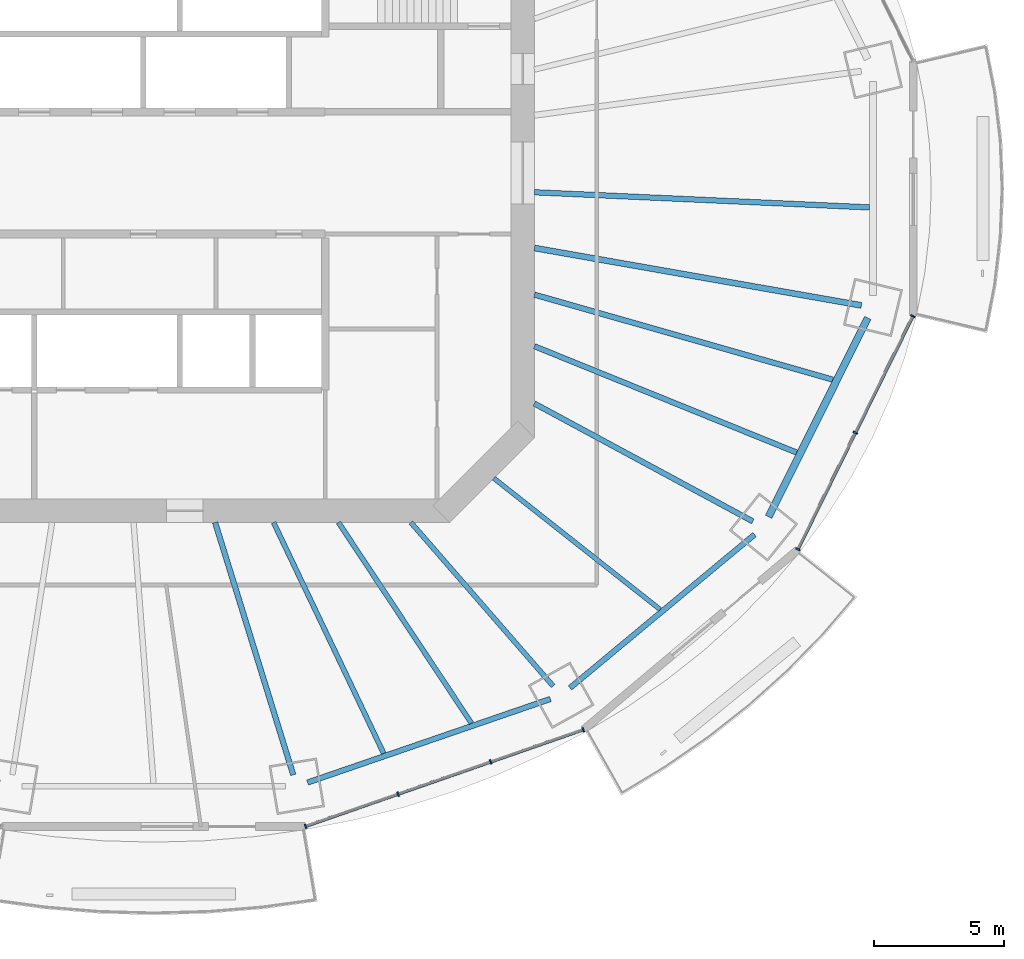
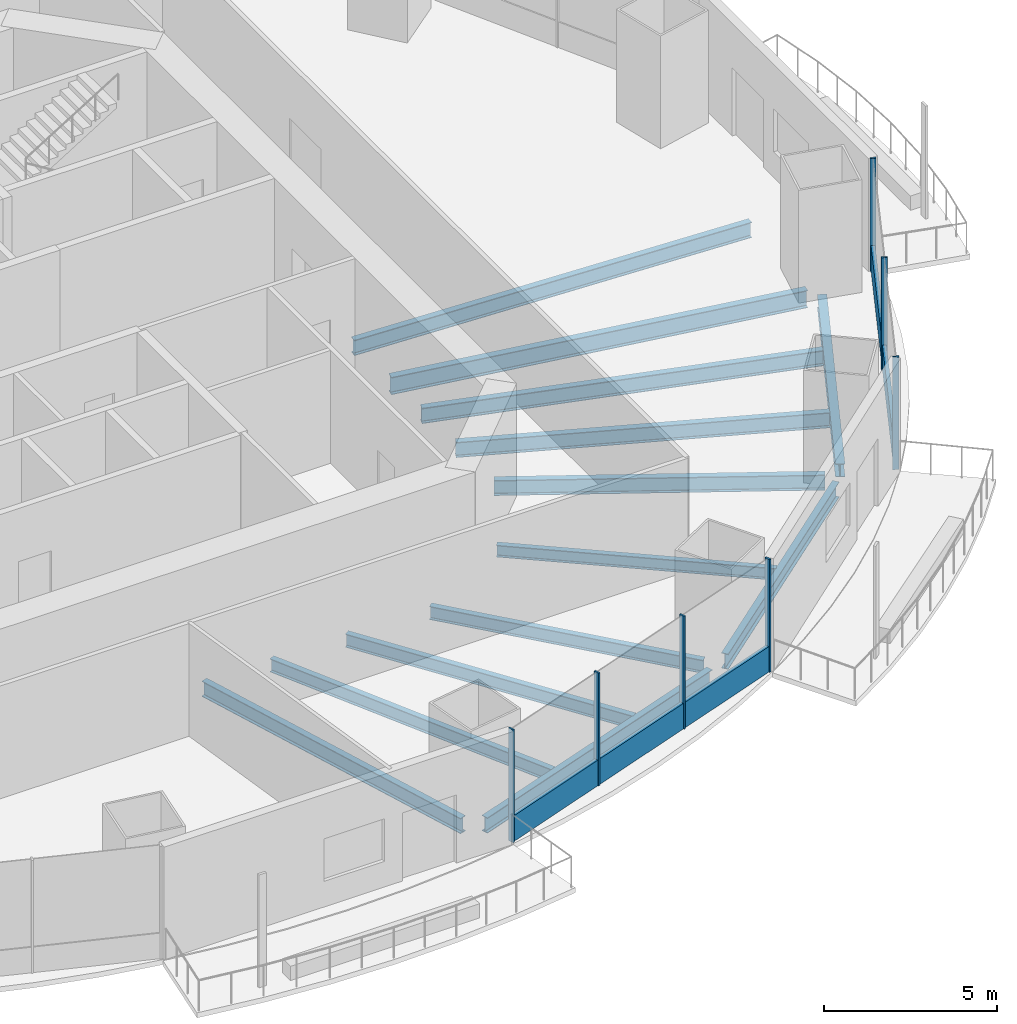
# One storey, part 4 of 19: 13 beams, 9 members, 2 elements without a shape of their own.
"""IFC4 building model written with IfcOpenShell, lengths in metres."""

import ifcopenshell
import ifcopenshell.guid

model = None  # the IFC model being written
_history = None  # IfcOwnerHistory: only IFC2X3 demands one
_inside = {}  # id of a spatial element -> (the spatial element, [elements in it])
_under = {}  # id of a project, library or spatial element -> (it, [spatial elements below it])
_declared = {}  # id of a project -> (the project, [libraries it declares])
_typed = {}  # id of a type object -> (the type object, [elements of that type])
_made_of = {}  # id of a material, layer set ... -> (it, [elements and type objects made of it])


def new_model(schema):
    """Start an empty IFC model of exactly this schema.

    Asked for "IFC4X3", IfcOpenShell would pick the latest addendum, in which some entities
    have other attributes; the version numbers below select the first issue.
    IFC2X3 requires an IfcOwnerHistory on every rooted entity: one is made here for all.
    """
    global model, _history
    if schema == "IFC4X3":
        model = ifcopenshell.file(schema_version=(4, 3, 0, 0))
    else:
        model = ifcopenshell.file(schema=schema)
    _inside.clear()
    _under.clear()
    _declared.clear()
    _typed.clear()
    _made_of.clear()
    _history = None
    if model.schema == "IFC2X3":
        org = make("IfcOrganization", Name="unknown")
        user = make(
            "IfcPersonAndOrganization",
            ThePerson=make("IfcPerson", FamilyName="unknown"),
            TheOrganization=org,
        )
        app = make(
            "IfcApplication",
            ApplicationDeveloper=org,
            Version="unknown",
            ApplicationFullName="unknown",
            ApplicationIdentifier="unknown",
        )
        _history = make(
            "IfcOwnerHistory",
            OwningUser=user,
            OwningApplication=app,
            ChangeAction="ADDED",
            CreationDate=0,
        )
    return model


def make(cls, **values):
    """One entity of the class cls with the attributes given. An attribute that is None is left unset."""
    return model.create_entity(
        cls, **{name: value for name, value in values.items() if value is not None}
    )


def rooted(cls, **values):
    """An entity with a GlobalId (a new one), such as an element, a storey or a relation."""
    return make(cls, GlobalId=ifcopenshell.guid.new(), OwnerHistory=_history, **values)


def si_unit(unit_type, name, prefix=None):
    """IfcSIUnit, for example si_unit("LENGTHUNIT", "METRE", prefix="MILLI")."""
    return make("IfcSIUnit", UnitType=unit_type, Prefix=prefix, Name=name)


def assignment(units):
    """IfcUnitAssignment: the units of a project."""
    return None if units is None else make("IfcUnitAssignment", Units=units)


def point(xyz):
    """IfcCartesianPoint."""
    return None if xyz is None else make("IfcCartesianPoint", Coordinates=xyz)


def direction(xyz):
    """IfcDirection."""
    return None if xyz is None else make("IfcDirection", DirectionRatios=xyz)


def frame(location, z_axis=None, x_axis=None):
    """IfcAxis2Placement3D, a coordinate frame: its origin and axes. An axis left out is left unset."""
    return make(
        "IfcAxis2Placement3D",
        Location=point(location),
        Axis=direction(z_axis),
        RefDirection=direction(x_axis),
    )


def frame_2d(location, x_axis=None):
    """IfcAxis2Placement2D, a coordinate frame in the plane: its origin and x axis."""
    return make(
        "IfcAxis2Placement2D", Location=point(location), RefDirection=direction(x_axis)
    )


def origin():
    """The frame at (0, 0, 0) with its axes left unset."""
    return frame((0.0, 0.0, 0.0))


def origin_2d():
    """The frame at (0, 0) in the plane with its x axis left unset."""
    return frame_2d((0.0, 0.0))


def place(relative_to, where):
    """IfcLocalPlacement: puts the frame where relative to a parent placement (None: the world)."""
    return make(
        "IfcLocalPlacement", PlacementRelTo=relative_to, RelativePlacement=where
    )


def context(
    kind, dimensions, precision=None, world=None, true_north=None, identifier=None
):
    """IfcGeometricRepresentationContext, for example the 3D "Model" context."""
    return make(
        "IfcGeometricRepresentationContext",
        ContextIdentifier=identifier,
        ContextType=kind,
        CoordinateSpaceDimension=dimensions,
        Precision=precision,
        WorldCoordinateSystem=world,
        TrueNorth=true_north,
    )


def subcontext(parent, identifier, kind, view, scale=None):
    """IfcGeometricRepresentationSubContext, for example "Body" below "Model"."""
    return make(
        "IfcGeometricRepresentationSubContext",
        ContextIdentifier=identifier,
        ContextType=kind,
        ParentContext=parent,
        TargetScale=scale,
        TargetView=view,
    )


def project(units=None, contexts=None):
    """IfcProject with its units and contexts."""
    return rooted(
        "IfcProject",
        Name="project",
        RepresentationContexts=contexts,
        UnitsInContext=assignment(units),
    )


def spatial(cls, under=None, at=None, **own):
    """A site, building, storey or space (cls), placed at a placement, below another one or the project."""
    s = rooted(cls, ObjectPlacement=at, **own)
    if under is not None:
        _under.setdefault(under.id(), (under, []))[1].append(s)
    return s


def profile(cls, at=None, kind="AREA", **sizes):
    """A parametric profile (cls). Its sizes go by their IFC names, for example OverallWidth=200.0."""
    return make(cls, ProfileType=kind, Position=at, **sizes)


def rectangle(**sizes):
    """IfcRectangleProfileDef."""
    return profile("IfcRectangleProfileDef", **sizes)


def i_section(**sizes):
    """IfcIShapeProfileDef."""
    return profile("IfcIShapeProfileDef", **sizes)


def extrude(swept, where, along, depth):
    """IfcExtrudedAreaSolid: the profile swept, set in the frame where, extruded along a direction by depth."""
    return make(
        "IfcExtrudedAreaSolid",
        SweptArea=swept,
        Position=where,
        ExtrudedDirection=direction(along),
        Depth=depth,
    )


def shape(context_of_items, identifier, shape_type, items):
    """IfcShapeRepresentation: the items that make up one representation, for example the "Body"."""
    return make(
        "IfcShapeRepresentation",
        ContextOfItems=context_of_items,
        RepresentationIdentifier=identifier,
        RepresentationType=shape_type,
        Items=items,
    )


def material(Name=None, Category=None):
    """IfcMaterial."""
    return make("IfcMaterial", Name=Name, Category=Category)


def material_profile(
    of_material, cross_section, Name=None, Category=None, Priority=None
):
    """IfcMaterialProfile: a cross section and its material."""
    return make(
        "IfcMaterialProfile",
        Name=Name,
        Material=of_material,
        Profile=cross_section,
        Priority=Priority,
        Category=Category,
    )


def profile_set(profiles, Name=None, composite=None):
    """IfcMaterialProfileSet."""
    return make(
        "IfcMaterialProfileSet",
        Name=Name,
        MaterialProfiles=profiles,
        CompositeProfile=composite,
    )


def made_of(thing, what):
    """Note that an element or type object is made of a material, layer set ...; save() writes the relation."""
    if what is not None:
        _made_of.setdefault(what.id(), (what, []))[1].append(thing)
    return thing


def type_object(cls, material=None, **own):
    """A type object (cls), such as IfcWallType, which elements share."""
    return made_of(rooted(cls, **own), material)


def element(
    cls,
    number,
    at=None,
    inside=None,
    cuts=None,
    type_object=None,
    material=None,
    context=None,
    identifier="Body",
    shape_type=None,
    held_by="IfcProductDefinitionShape",
    body=None,
    shapes=None,
    **own,
):
    """One element of the class cls, such as IfcWall. Its Tag is "e" and its number.

    at: its placement. inside: the storey or other place that contains it. cuts: it is an
    opening in that element (IfcRelVoidsElement). A single representation is given by context,
    identifier, shape_type and body (its items); several are given by shapes. held_by: the class
    of the entity that holds the representations. save() writes the other relations.
    """
    e = rooted(cls, Tag="e%d" % number, ObjectPlacement=at, **own)
    if body is not None:
        shapes = [shape(context, identifier, shape_type, body)]
    if shapes is not None:
        e.Representation = make(held_by, Representations=shapes)
    if inside is not None:
        _inside.setdefault(inside.id(), (inside, []))[1].append(e)
    if cuts is not None:
        rooted(
            "IfcRelVoidsElement", RelatingBuildingElement=cuts, RelatedOpeningElement=e
        )
    if type_object is not None:
        _typed.setdefault(type_object.id(), (type_object, []))[1].append(e)
    return made_of(e, material)


def aggregate(whole, parts):
    """IfcRelAggregates: a whole, such as a stair, and the parts it consists of."""
    return rooted("IfcRelAggregates", RelatingObject=whole, RelatedObjects=parts)


def save(model, path):
    """Write the relations noted so far, then the file.

    IfcRelAggregates (storeys below a building ...), IfcRelContainedInSpatialStructure (elements
    in a storey), IfcRelDefinesByType, IfcRelAssociatesMaterial and IfcRelDeclares: one each for
    every whole, place, type object, material and project.
    """
    for whole, parts in _under.values():
        aggregate(whole, parts)
    for where, things in _inside.values():
        rooted(
            "IfcRelContainedInSpatialStructure",
            RelatedElements=things,
            RelatingStructure=where,
        )
    for kind, things in _typed.values():
        rooted("IfcRelDefinesByType", RelatedObjects=things, RelatingType=kind)
    for what, things in _made_of.values():
        rooted("IfcRelAssociatesMaterial", RelatedObjects=things, RelatingMaterial=what)
    for by, libraries in _declared.values():
        rooted("IfcRelDeclares", RelatingContext=by, RelatedDefinitions=libraries)
    model.write(path)


model = new_model("IFC4")

# Units and contexts
model_context = context("Model", 3, precision=1e-05, world=origin(), true_north=direction((0.0, 1.0)))
body_context = subcontext(model_context, "Body", "Model", "MODEL_VIEW")
ifc_project = project(units=[si_unit("LENGTHUNIT", "METRE"), si_unit("AREAUNIT", "SQUARE_METRE"), si_unit("VOLUMEUNIT", "CUBIC_METRE"), si_unit("PLANEANGLEUNIT", "RADIAN"), si_unit("MASSUNIT", "GRAM", prefix="KILO")], contexts=[model_context])

# Site, building, storey
site_placement = place(None, origin())
site = spatial("IfcSite", under=ifc_project, at=site_placement, CompositionType="ELEMENT")
building_placement = place(site_placement, origin())
building = spatial("IfcBuilding", under=site, at=building_placement, Name="Marenthal Gate Tower", CompositionType="ELEMENT")
storey_placement = place(building_placement, frame((0.0, 0.0, 252.35009765625)))
storey = spatial("IfcBuildingStorey", under=building, at=storey_placement, Name="L56", CompositionType="ELEMENT", Elevation=252.35009765625)

# Curtain wall, members
ifc_material_1 = material(Name="Aluminium and glass", Category="aluminium")
curtain_wall_type = type_object("IfcCurtainWallType", Name="Curtain wall typical mid", PredefinedType="NOTDEFINED", material=ifc_material_1)
curtain_wall_1_placement = place(storey_placement, origin())
curtain_wall_1 = element("IfcCurtainWall", 1, at=curtain_wall_1_placement, inside=storey, type_object=curtain_wall_type, Name="Curtain wall L56 bay 13", PredefinedType="NOTDEFINED")
ifc_material_2 = material(Name="Aluminium", Category="aluminium")
ifc_material_profile_1 = material_profile(ifc_material_2, rectangle(XDim=0.179931640625, YDim=0.06005859375, at=origin_2d()), Name="60x180 aluminium mullion")
ifc_profile_set_1 = profile_set([ifc_material_profile_1], Name="Aluminium")
member_type_1 = type_object("IfcMemberType", Name="Mullion 60x180 typical mid", PredefinedType="MULLION", material=ifc_profile_set_1)
member_1_placement = place(storey_placement, frame((7.642578125, -25.14306640625, 0.0), z_axis=(0.0, 0.0, 1.0), x_axis=(-0.328612003593, 0.944465007872, 0.0)))
member_1 = element("IfcMember", 2, at=member_1_placement, type_object=member_type_1, Name="Mullion L56 bay 13.1", PredefinedType="MULLION", context=body_context, shape_type="SweptSolid", body=[
    extrude(rectangle(XDim=0.179931640625, YDim=0.06005859375, at=origin_2d()), origin(), (0.0, 0.0, 1.0), 3.969970703125),
])
member_2_placement = place(storey_placement, frame((11.204833984375, -23.90380859375, 0.0), z_axis=(0.0, 0.0, 1.0), x_axis=(-0.328612003593, 0.944465007872, 0.0)))
member_2 = element("IfcMember", 3, at=member_2_placement, type_object=member_type_1, Name="Mullion L56 bay 13.2", PredefinedType="MULLION", context=body_context, shape_type="SweptSolid", body=[
    extrude(rectangle(XDim=0.179931640625, YDim=0.06005859375, at=origin_2d()), origin(), (0.0, 0.0, 1.0), 3.969970703125),
])
member_3_placement = place(storey_placement, frame((14.76708984375, -22.664306640625, 0.0), z_axis=(0.0, 0.0, 1.0), x_axis=(-0.328612003593, 0.944465007872, 0.0)))
member_3 = element("IfcMember", 4, at=member_3_placement, type_object=member_type_1, Name="Mullion L56 bay 13.3", PredefinedType="MULLION", context=body_context, shape_type="SweptSolid", body=[
    extrude(rectangle(XDim=0.179931640625, YDim=0.06005859375, at=origin_2d()), origin(), (0.0, 0.0, 1.0), 3.969970703125),
])
member_4_placement = place(storey_placement, frame((18.329345703125, -21.4248046875, 0.0), z_axis=(0.0, 0.0, 1.0), x_axis=(-0.328612003593, 0.944465007872, 0.0)))
member_4 = element("IfcMember", 5, at=member_4_placement, type_object=member_type_1, Name="Mullion L56 bay 13.4", PredefinedType="MULLION", context=body_context, shape_type="SweptSolid", body=[
    extrude(rectangle(XDim=0.179931640625, YDim=0.06005859375, at=origin_2d()), origin(), (0.0, 0.0, 1.0), 3.969970703125),
])

curtain_wall_2_placement = place(storey_placement, origin())
curtain_wall_2 = element("IfcCurtainWall", 6, at=curtain_wall_2_placement, inside=storey, type_object=curtain_wall_type, Name="Curtain wall L56 bay 15", PredefinedType="NOTDEFINED")
member_5_placement = place(storey_placement, frame((26.593505859375, -14.481201171875, 0.0), z_axis=(0.0, 0.0, 1.0), x_axis=(-0.896882319585, 0.44226926732, 0.0)))
member_5 = element("IfcMember", 7, at=member_5_placement, type_object=member_type_1, Name="Mullion L56 bay 15.1", PredefinedType="MULLION", context=body_context, shape_type="SweptSolid", body=[
    extrude(rectangle(XDim=0.179931640625, YDim=0.06005859375, at=origin_2d()), origin(), (0.0, 0.0, 1.0), 3.969970703125),
])
member_6_placement = place(storey_placement, frame((28.805419921875, -9.99609375, 0.0), z_axis=(0.0, 0.0, 1.0), x_axis=(-0.896882319585, 0.44226926732, 0.0)))
member_6 = element("IfcMember", 8, at=member_6_placement, type_object=member_type_1, Name="Mullion L56 bay 15.2", PredefinedType="MULLION", context=body_context, shape_type="SweptSolid", body=[
    extrude(rectangle(XDim=0.179931640625, YDim=0.06005859375, at=origin_2d()), origin(), (0.0, 0.0, 1.0), 3.969970703125),
])
member_7_placement = place(storey_placement, frame((31.01708984375, -5.5107421875, 0.0), z_axis=(0.0, 0.0, 1.0), x_axis=(-0.896882319585, 0.44226926732, 0.0)))
member_7 = element("IfcMember", 9, at=member_7_placement, type_object=member_type_1, Name="Mullion L56 bay 15.3", PredefinedType="MULLION", context=body_context, shape_type="SweptSolid", body=[
    extrude(rectangle(XDim=0.179931640625, YDim=0.06005859375, at=origin_2d()), origin(), (0.0, 0.0, 1.0), 3.969970703125),
])

# Member
ifc_material_3 = material(Name="Aluminium", Category="aluminium")
ifc_material_profile_2 = material_profile(ifc_material_3, rectangle(XDim=0.1201171875, YDim=0.89990234375, at=origin_2d()), Name="120x900 aluminium transom")
ifc_profile_set_2 = profile_set([ifc_material_profile_2], Name="Aluminium")
member_type_2 = type_object("IfcMemberType", Name="Transom 120x900 typical mid", PredefinedType="USERDEFINED", material=ifc_profile_set_2)
member_8_placement = place(storey_placement, frame((7.6708984375, -25.13330078125, 0.449951171875), z_axis=(0.944467822316, 0.328603914477, 0.0), x_axis=(-0.328603914477, 0.944467822316, 0.0)))
member_8 = element("IfcMember", 10, at=member_8_placement, type_object=member_type_2, Name="Transom L56 bay 13", ObjectType="TRANSOM", PredefinedType="USERDEFINED", context=body_context, shape_type="SweptSolid", body=[
    extrude(rectangle(XDim=0.1201171875, YDim=0.89990234375, at=origin_2d()), origin(), (0.0, 0.0, 1.0), 11.255126953125),
])

aggregate(curtain_wall_1, [member_1, member_2, member_3, member_4, member_8])

member_9_placement = place(storey_placement, frame((26.60693359375, -14.454345703125, 0.449951171875), z_axis=(0.442255953319, 0.896888884842, 0.0), x_axis=(-0.896888884842, 0.442255953319, 0.0)))
member_9 = element("IfcMember", 11, at=member_9_placement, type_object=member_type_2, Name="Transom L56 bay 15", ObjectType="TRANSOM", PredefinedType="USERDEFINED", context=body_context, shape_type="SweptSolid", body=[
    extrude(rectangle(XDim=0.1201171875, YDim=0.89990234375, at=origin_2d()), origin(), (0.0, 0.0, 1.0), 9.941650390625),
])

aggregate(curtain_wall_2, [member_5, member_6, member_7, member_9])

# Beams
ifc_material_4 = material(Name="Steel S355", Category="steel")
ifc_material_profile_3 = material_profile(ifc_material_4, i_section(OverallWidth=0.180908203125, OverallDepth=0.4169921875, WebThickness=0.010986328125, FlangeThickness=0.018310546875, FilletRadius=0.01025390625, at=origin_2d()), Name="W410X85")
ifc_profile_set_3 = profile_set([ifc_material_profile_3], Name="Steel S355")
beam_type_1 = type_object("IfcBeamType", Name="W410X85 beam", PredefinedType="BEAM", material=ifc_profile_set_3)
beam_1_placement = place(storey_placement, frame((21.2880859375, -16.798583984375, -0.388671875), z_axis=(-0.785017659508, 0.619473384626, 0.0), x_axis=(-0.619473384626, -0.785017659508, 0.0)))
element("IfcBeam", 12, at=beam_1_placement, inside=storey, type_object=beam_type_1, Name="BM-L56-37", PredefinedType="BEAM", context=body_context, shape_type="SweptSolid", body=[
    extrude(i_section(OverallWidth=0.180908203125, OverallDepth=0.4169921875, WebThickness=0.010986328125, FlangeThickness=0.018310546875, FilletRadius=0.01025390625, at=origin_2d()), origin(), (0.0, 0.0, 1.0), 8.152587890625),
])
ifc_material_5 = material(Name="Steel S355", Category="steel")
ifc_material_profile_4 = material_profile(ifc_material_5, i_section(OverallWidth=0.279052734375, OverallDepth=0.4619140625, WebThickness=0.0107421875, FlangeThickness=0.017333984375, FilletRadius=0.010009765625, at=origin_2d()), Name="W460X113")
ifc_profile_set_4 = profile_set([ifc_material_profile_4], Name="Steel S355")
beam_type_2 = type_object("IfcBeamType", Name="W460X113 beam", PredefinedType="BEAM", material=ifc_profile_set_4)
beam_2_placement = place(storey_placement, frame((25.4658203125, -13.23046875, -0.4111328125), z_axis=(0.446105412594, 0.894980424844, 0.0), x_axis=(-0.894980424844, 0.446105412594, 0.0)))
element("IfcBeam", 13, at=beam_2_placement, inside=storey, type_object=beam_type_2, Name="BM-L56-55", PredefinedType="BEAM", context=body_context, shape_type="SweptSolid", body=[
    extrude(i_section(OverallWidth=0.279052734375, OverallDepth=0.4619140625, WebThickness=0.0107421875, FlangeThickness=0.017333984375, FilletRadius=0.010009765625, at=origin_2d()), origin(), (0.0, 0.0, 1.0), 8.550537109375),
])
ifc_material_6 = material(Name="Steel S355", Category="steel")
ifc_material_profile_5 = material_profile(ifc_material_6, i_section(OverallWidth=0.193115234375, OverallDepth=0.467041015625, WebThickness=0.011474609375, FlangeThickness=0.01904296875, FilletRadius=0.010009765625, at=origin_2d()), Name="W460X97")
ifc_profile_set_5 = profile_set([ifc_material_profile_5], Name="Steel S355")
beam_type_3 = type_object("IfcBeamType", Name="W460X97 beam", PredefinedType="BEAM", material=ifc_profile_set_5)
beam_3_placement = place(storey_placement, frame((17.1708984375, -19.745849609375, -0.41357421875), z_axis=(-0.656189581621, 0.754596072725, 0.0), x_axis=(-0.754596072725, -0.656189581621, 0.0)))
element("IfcBeam", 14, at=beam_3_placement, inside=storey, type_object=beam_type_3, Name="BM-L56-14", PredefinedType="BEAM", context=body_context, shape_type="SweptSolid", body=[
    extrude(i_section(OverallWidth=0.193115234375, OverallDepth=0.467041015625, WebThickness=0.011474609375, FlangeThickness=0.01904296875, FilletRadius=0.010009765625, at=origin_2d()), origin(), (0.0, 0.0, 1.0), 8.343505859375),
])
beam_4_placement = place(storey_placement, frame((10.6513671875, -22.339599609375, -0.41357421875), z_axis=(-0.430377134493, 0.902649168894, 0.0), x_axis=(-0.902649168894, -0.430377134493, 0.0)))
element("IfcBeam", 15, at=beam_4_placement, inside=storey, type_object=beam_type_3, Name="BM-L56-35", PredefinedType="BEAM", context=body_context, shape_type="SweptSolid", body=[
    extrude(i_section(OverallWidth=0.193115234375, OverallDepth=0.467041015625, WebThickness=0.011474609375, FlangeThickness=0.01904296875, FilletRadius=0.010009765625, at=origin_2d()), origin(), (0.0, 0.0, 1.0), 9.848388671875),
])
beam_5_placement = place(storey_placement, frame((14.028076171875, -21.17724609375, -0.41357421875), z_axis=(-0.552242092317, 0.833683795856, 0.0), x_axis=(-0.833683795856, -0.552242092317, 0.0)))
element("IfcBeam", 16, at=beam_5_placement, inside=storey, type_object=beam_type_3, Name="BM-L56-36", PredefinedType="BEAM", context=body_context, shape_type="SweptSolid", body=[
    extrude(i_section(OverallWidth=0.193115234375, OverallDepth=0.467041015625, WebThickness=0.011474609375, FlangeThickness=0.01904296875, FilletRadius=0.010009765625, at=origin_2d()), origin(), (0.0, 0.0, 1.0), 9.268798828125),
])
ifc_material_7 = material(Name="Steel S355", Category="steel")
ifc_material_profile_6 = material_profile(ifc_material_7, i_section(OverallWidth=0.2099609375, OverallDepth=0.535888671875, WebThickness=0.010986328125, FlangeThickness=0.017333984375, FilletRadius=0.0126953125, at=origin_2d()), Name="W530X101")
ifc_profile_set_6 = profile_set([ifc_material_profile_6], Name="Steel S355")
beam_type_4 = type_object("IfcBeamType", Name="W530X101 beam", PredefinedType="BEAM", material=ifc_profile_set_6)
beam_6_placement = place(storey_placement, frame((24.8564453125, -13.408935546875, -0.447998046875), z_axis=(-0.880106434399, 0.474776435947, 0.0), x_axis=(-0.474776435947, -0.880106434399, 0.0)))
element("IfcBeam", 17, at=beam_6_placement, inside=storey, type_object=beam_type_4, Name="BM-L56-15", PredefinedType="BEAM", context=body_context, shape_type="SweptSolid", body=[
    extrude(i_section(OverallWidth=0.2099609375, OverallDepth=0.535888671875, WebThickness=0.010986328125, FlangeThickness=0.017333984375, FilletRadius=0.0126953125, at=origin_2d()), origin(), (0.0, 0.0, 1.0), 9.5517578125),
])
beam_7_placement = place(storey_placement, frame((26.541748046875, -10.759521484375, -0.447998046875), z_axis=(-0.92674580837, 0.375688975974, 0.0), x_axis=(-0.375688975974, -0.92674580837, 0.0)))
element("IfcBeam", 18, at=beam_7_placement, inside=storey, type_object=beam_type_4, Name="BM-L56-38", PredefinedType="BEAM", context=body_context, shape_type="SweptSolid", body=[
    extrude(i_section(OverallWidth=0.2099609375, OverallDepth=0.535888671875, WebThickness=0.010986328125, FlangeThickness=0.017333984375, FilletRadius=0.0126953125, at=origin_2d()), origin(), (0.0, 0.0, 1.0), 10.889404296875),
])
ifc_material_8 = material(Name="Steel S355", Category="steel")
ifc_material_profile_7 = material_profile(ifc_material_8, i_section(OverallWidth=0.2119140625, OverallDepth=0.5439453125, WebThickness=0.01318359375, FlangeThickness=0.021240234375, FilletRadius=0.0126953125, at=origin_2d()), Name="W530X123")
ifc_profile_set_7 = profile_set([ifc_material_profile_7], Name="Steel S355")
beam_type_5 = type_object("IfcBeamType", Name="W530X123 beam", PredefinedType="BEAM", material=ifc_profile_set_7)
beam_8_placement = place(storey_placement, frame((7.17041015625, -23.164794921875, -0.4521484375), z_axis=(-0.295715024852, 0.955276203031, 0.0), x_axis=(-0.955276203031, -0.295715024852, 0.0)))
element("IfcBeam", 19, at=beam_8_placement, inside=storey, type_object=beam_type_5, Name="BM-L56-13", PredefinedType="BEAM", context=body_context, shape_type="SweptSolid", body=[
    extrude(i_section(OverallWidth=0.2119140625, OverallDepth=0.5439453125, WebThickness=0.01318359375, FlangeThickness=0.021240234375, FilletRadius=0.0126953125, at=origin_2d()), origin(), (0.0, 0.0, 1.0), 10.169677734375),
])
beam_9_placement = place(storey_placement, frame((27.939453125, -7.955078125, -0.4521484375), z_axis=(-0.961771880099, 0.273851877209, 0.0), x_axis=(-0.273851877209, -0.961771880099, 0.0)))
element("IfcBeam", 20, at=beam_9_placement, inside=storey, type_object=beam_type_5, Name="BM-L56-39", PredefinedType="BEAM", context=body_context, shape_type="SweptSolid", body=[
    extrude(i_section(OverallWidth=0.2119140625, OverallDepth=0.5439453125, WebThickness=0.01318359375, FlangeThickness=0.021240234375, FilletRadius=0.0126953125, at=origin_2d()), origin(), (0.0, 0.0, 1.0), 11.9462890625),
])
beam_10_placement = place(storey_placement, frame((29.34130859375, -1.32568359375, -0.4521484375), z_axis=(-0.998981489101, 0.045121884202, 0.0), x_axis=(-0.045121884202, -0.998981489101, 0.0)))
element("IfcBeam", 21, at=beam_10_placement, inside=storey, type_object=beam_type_5, Name="BM-L56-40", PredefinedType="BEAM", context=body_context, shape_type="SweptSolid", body=[
    extrude(i_section(OverallWidth=0.2119140625, OverallDepth=0.5439453125, WebThickness=0.01318359375, FlangeThickness=0.021240234375, FilletRadius=0.0126953125, at=origin_2d()), origin(), (0.0, 0.0, 1.0), 12.904541015625),
])
beam_11_placement = place(storey_placement, frame((7.72021484375, -23.460693359375, -0.4521484375), z_axis=(0.945555035824, 0.325462247007, 0.0), x_axis=(-0.325462247007, 0.945555035824, 0.0)))
element("IfcBeam", 22, at=beam_11_placement, inside=storey, type_object=beam_type_5, Name="BM-L56-53", PredefinedType="BEAM", context=body_context, shape_type="SweptSolid", body=[
    extrude(i_section(OverallWidth=0.2119140625, OverallDepth=0.5439453125, WebThickness=0.01318359375, FlangeThickness=0.021240234375, FilletRadius=0.0126953125, at=origin_2d()), origin(), (0.0, 0.0, 1.0), 9.88232421875),
])
beam_12_placement = place(storey_placement, frame((17.8193359375, -19.819091796875, -0.4521484375), z_axis=(0.769104243953, 0.639123354239, 0.0), x_axis=(-0.639123354239, 0.769104243953, 0.0)))
element("IfcBeam", 23, at=beam_12_placement, inside=storey, type_object=beam_type_5, Name="BM-L56-54", PredefinedType="BEAM", context=body_context, shape_type="SweptSolid", body=[
    extrude(i_section(OverallWidth=0.2119140625, OverallDepth=0.5439453125, WebThickness=0.01318359375, FlangeThickness=0.021240234375, FilletRadius=0.0126953125, at=origin_2d()), origin(), (0.0, 0.0, 1.0), 9.2392578125),
])
ifc_material_9 = material(Name="Steel S355", Category="steel")
ifc_material_profile_8 = material_profile(ifc_material_9, i_section(OverallWidth=0.22900390625, OverallDepth=0.612060546875, WebThickness=0.011962890625, FlangeThickness=0.01953125, FilletRadius=0.0126953125, at=origin_2d()), Name="W610X125")
ifc_profile_set_8 = profile_set([ifc_material_profile_8], Name="Steel S355")
beam_type_6 = type_object("IfcBeamType", Name="W610X125 beam", PredefinedType="BEAM", material=ifc_profile_set_8)
beam_13_placement = place(storey_placement, frame((29.035888671875, -5.097412109375, -0.486083984375), z_axis=(-0.984938192619, 0.17290678622, 0.0), x_axis=(-0.17290678622, -0.984938192619, 0.0)))
element("IfcBeam", 24, at=beam_13_placement, inside=storey, type_object=beam_type_6, Name="BM-L56-16", PredefinedType="BEAM", context=body_context, shape_type="SweptSolid", body=[
    extrude(i_section(OverallWidth=0.22900390625, OverallDepth=0.612060546875, WebThickness=0.011962890625, FlangeThickness=0.01953125, FilletRadius=0.0126953125, at=origin_2d()), origin(), (0.0, 0.0, 1.0), 12.7783203125),
])

save(model, "model.ifc")
